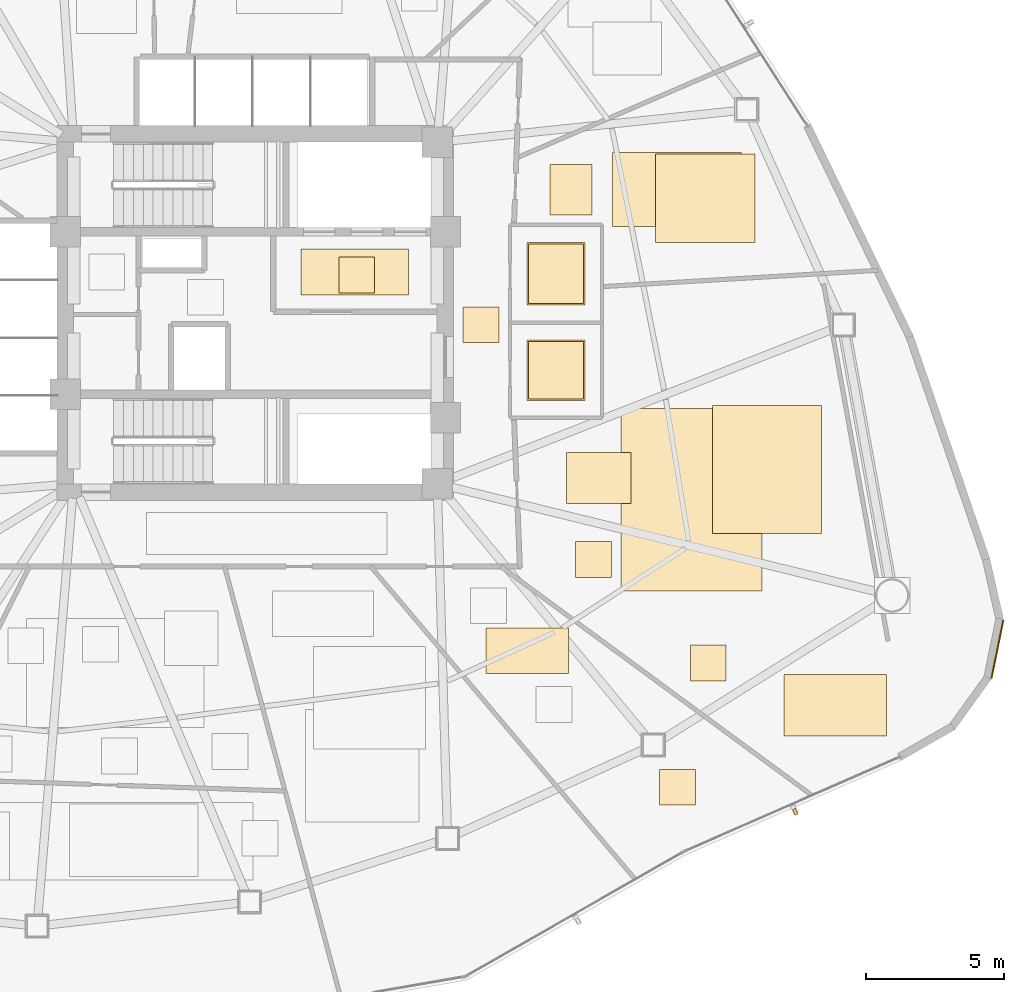
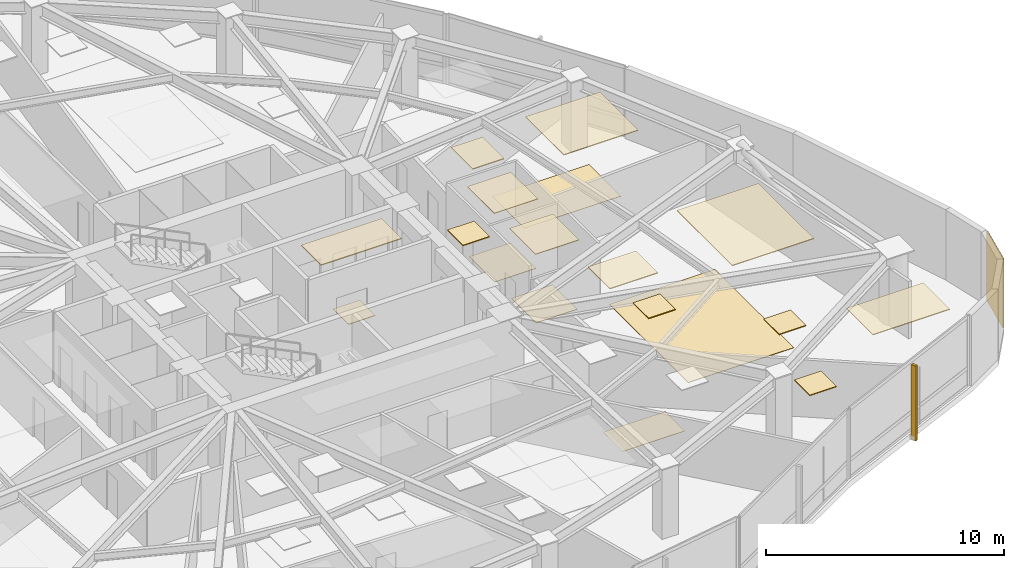
# One storey, part 17 of 18: 19 coverings, 1 shading device.
"""IFC4 building model written with IfcOpenShell, lengths in metres."""

from ifc_helpers import new_model, si_unit, direction, frame, origin, origin_2d, place, context, subcontext, project, spatial, polyline, rectangle, outline, extrude, source, transform, mapped, material, layer, layer_set, type_object, type_shapes, element, save


model = new_model("IFC4")

# Units and contexts
model_context = context("Model", 3, precision=1e-05, world=origin(), true_north=direction((0.0, 1.0)))
body_context = subcontext(model_context, "Body", "Model", "MODEL_VIEW")
ifc_project = project(units=[si_unit("LENGTHUNIT", "METRE"), si_unit("AREAUNIT", "SQUARE_METRE"), si_unit("VOLUMEUNIT", "CUBIC_METRE"), si_unit("PLANEANGLEUNIT", "RADIAN"), si_unit("MASSUNIT", "GRAM", prefix="KILO")], contexts=[model_context])

# Site, building, storey
site_placement = place(None, origin())
site = spatial("IfcSite", under=ifc_project, at=site_placement, CompositionType="ELEMENT")
building_placement = place(site_placement, origin())
building = spatial("IfcBuilding", under=site, at=building_placement, Name="Tavelor Broadcast Tower", CompositionType="ELEMENT")
storey_placement = place(building_placement, frame((0.0, 0.0, 51.0)))
storey = spatial("IfcBuildingStorey", under=building, at=storey_placement, Name="L11", CompositionType="ELEMENT", Elevation=51.0)

# Coverings
ifc_material_1 = material(Name="Copper-Bronze Anodized Aluminium", Category="aluminium")
ifc_layer_1 = layer(ifc_material_1, 0.044921875)
ifc_layer_set_1 = layer_set([ifc_layer_1], Name="Copper-Bronze Anodized Aluminium")
covering_type_1 = type_object("IfcCoveringType", Name="Anodised Bronze Linear Slatted Concourse Ceiling 45 mm", PredefinedType="CEILING", material=ifc_layer_set_1)
covering_1_placement = place(storey_placement, frame((0.0, 0.0, 3.554931640625)))
element("IfcCovering", 1, at=covering_1_placement, inside=storey, type_object=covering_type_1, Name="L11 Suspended Acoustic Ceiling 0388", PredefinedType="CEILING", context=body_context, shape_type="SweptSolid", body=[
    extrude(outline(polyline([(51.659912109375, 45.654296875), (55.55712890625, 45.654296875), (55.55712890625, 47.331787109375), (51.659912109375, 47.331787109375), (51.659912109375, 45.654296875)])), origin(), (0.0, 0.0, 1.0), 0.045166015625),
])
covering_2_placement = place(storey_placement, frame((0.0, 0.0, 3.554931640625)))
element("IfcCovering", 2, at=covering_2_placement, inside=storey, type_object=covering_type_1, Name="L11 Suspended Acoustic Ceiling 0391", PredefinedType="CEILING", context=body_context, shape_type="SweptSolid", body=[
    extrude(outline(polyline([(57.5400390625, 43.925048828125), (58.840087890625, 43.925048828125), (58.840087890625, 45.22509765625), (57.5400390625, 45.22509765625), (57.5400390625, 43.925048828125)])), origin(), (0.0, 0.0, 1.0), 0.045166015625),
])
ifc_layer_2 = layer(ifc_material_1, 0.050048828125)
ifc_layer_set_2 = layer_set([ifc_layer_2], Name="Copper-Bronze Anodized Aluminium")
covering_type_2 = type_object("IfcCoveringType", Name="Champagne-Bronze Corner Pier Metal Cladding 50 mm", PredefinedType="CLADDING", material=ifc_layer_set_2)
covering_3_placement = place(storey_placement, frame((76.939208984375, 32.79345703125, 0.02001953125), z_axis=(0.0, 0.0, 1.0), x_axis=(0.200223004021, 0.979750350171, 0.0)))
element("IfcCovering", 3, at=covering_3_placement, inside=storey, type_object=covering_type_2, Name="L11 Champagne-Bronze Corner Cladding 23", PredefinedType="CLADDING", context=body_context, shape_type="SweptSolid", body=[
    extrude(rectangle(XDim=2.146484375, YDim=0.050048828125, at=origin_2d()), origin(), (0.0, 0.0, 1.0), 3.56005859375),
])
ifc_material_2 = material(Name="Acoustic Nylon Carpet Tile")
ifc_layer_3 = layer(ifc_material_2, 0.02001953125)
ifc_layer_set_3 = layer_set([ifc_layer_3], Name="Acoustic Nylon Carpet Tile")
covering_type_3 = type_object("IfcCoveringType", Name="Heavy-Duty Acoustic Broadcast Carpet Tile 20 mm", PredefinedType="FLOORING", material=ifc_layer_set_3)
covering_4_placement = place(storey_placement, origin())
element("IfcCovering", 4, at=covering_4_placement, inside=storey, type_object=covering_type_3, Name="L11 Broadcast Floor Finish 0149", PredefinedType="FLOORING", context=body_context, shape_type="SweptSolid", body=[
    extrude(outline(polyline([(62.962646484375, 48.146240234375), (67.647705078125, 48.146240234375), (67.647705078125, 50.8251953125), (62.962646484375, 50.8251953125), (62.962646484375, 48.146240234375)])), origin(), (0.0, 0.0, 1.0), 0.02001953125),
])
covering_5_placement = place(storey_placement, origin())
element("IfcCovering", 5, at=covering_5_placement, inside=storey, type_object=covering_type_3, Name="L11 Broadcast Floor Finish 0150", PredefinedType="FLOORING", context=body_context, shape_type="SweptSolid", body=[
    extrude(outline(polyline([(63.2646484375, 34.9091796875), (68.385009765625, 34.9091796875), (68.385009765625, 41.52978515625), (63.2646484375, 41.52978515625), (63.2646484375, 34.9091796875)])), origin(), (0.0, 0.0, 1.0), 0.02001953125),
])
covering_6_placement = place(storey_placement, origin())
element("IfcCovering", 6, at=covering_6_placement, inside=storey, type_object=covering_type_3, Name="L11 Broadcast Floor Finish 0151", PredefinedType="FLOORING", context=body_context, shape_type="SweptSolid", body=[
    extrude(outline(polyline([(58.365234375, 31.91357421875), (61.359619140625, 31.91357421875), (61.359619140625, 33.556396484375), (58.365234375, 33.556396484375), (58.365234375, 31.91357421875)])), origin(), (0.0, 0.0, 1.0), 0.02001953125),
])
ifc_material_3 = material(Name="Honed Natural Limestone Tile", Category="masonry")
ifc_layer_4 = layer(ifc_material_3, 0.030029296875)
ifc_layer_set_4 = layer_set([ifc_layer_4], Name="Honed Natural Limestone Tile")
covering_type_4 = type_object("IfcCoveringType", Name="Honed Jerusalem Limestone Concourse Flooring 30 mm", PredefinedType="FLOORING", material=ifc_layer_set_4)
covering_7_placement = place(storey_placement, origin())
element("IfcCovering", 7, at=covering_7_placement, inside=storey, type_object=covering_type_4, Name="L11 Broadcast Floor Finish 0137", PredefinedType="FLOORING", context=body_context, shape_type="SweptSolid", body=[
    extrude(outline(polyline([(53.030029296875, 45.728515625), (54.330078125, 45.728515625), (54.330078125, 47.028564453125), (53.030029296875, 47.028564453125), (53.030029296875, 45.728515625)])), origin(), (0.0, 0.0, 1.0), 0.030029296875),
])
ifc_material_4 = material(Name="Architectural Anodized Aluminium", Category="aluminium")
ifc_layer_5 = layer(ifc_material_4, 0.030029296875)
ifc_layer_set_5 = layer_set([ifc_layer_5], Name="Architectural Anodized Aluminium")
covering_type_5 = type_object("IfcCoveringType", Name="Moisture-Resistant Washroom Ceiling 30 mm", PredefinedType="CEILING", material=ifc_layer_set_5)
covering_8_placement = place(storey_placement, frame((0.0, 0.0, 3.570068359375)))
element("IfcCovering", 8, at=covering_8_placement, inside=storey, type_object=covering_type_5, Name="L11 Suspended Acoustic Ceiling 0394", PredefinedType="CEILING", context=body_context, shape_type="SweptSolid", body=[
    extrude(outline(polyline([(59.85302734375, 41.828369140625), (61.967041015625, 41.828369140625), (61.967041015625, 44.021484375), (59.85302734375, 44.021484375), (59.85302734375, 41.828369140625)])), origin(), (0.0, 0.0, 1.0), 0.030029296875),
])
covering_9_placement = place(storey_placement, frame((0.0, 0.0, 3.570068359375)))
element("IfcCovering", 9, at=covering_9_placement, inside=storey, type_object=covering_type_5, Name="L11 Suspended Acoustic Ceiling 0395", PredefinedType="CEILING", context=body_context, shape_type="SweptSolid", body=[
    extrude(outline(polyline([(59.85302734375, 45.29248046875), (61.967041015625, 45.29248046875), (61.967041015625, 47.5576171875), (59.85302734375, 47.5576171875), (59.85302734375, 45.29248046875)])), origin(), (0.0, 0.0, 1.0), 0.030029296875),
])
ifc_material_5 = material(Name="Slip-Resistant Porcelain Tile")
ifc_layer_6 = layer(ifc_material_5, 0.02490234375)
ifc_layer_set_6 = layer_set([ifc_layer_6], Name="Slip-Resistant Porcelain Tile")
covering_type_6 = type_object("IfcCoveringType", Name="Slip-Resistant Porcelain Wet-Area Floor Tile 25 mm", PredefinedType="FLOORING", material=ifc_layer_set_6)
covering_10_placement = place(storey_placement, origin())
element("IfcCovering", 10, at=covering_10_placement, inside=storey, type_object=covering_type_6, Name="L11 Broadcast Floor Finish 0139", PredefinedType="FLOORING", context=body_context, shape_type="SweptSolid", body=[
    extrude(outline(polyline([(59.91064453125, 41.885986328125), (61.909423828125, 41.885986328125), (61.909423828125, 43.964111328125), (59.91064453125, 43.964111328125), (59.91064453125, 41.885986328125)])), origin(), (0.0, 0.0, 1.0), 0.02490234375),
])
covering_11_placement = place(storey_placement, origin())
element("IfcCovering", 11, at=covering_11_placement, inside=storey, type_object=covering_type_6, Name="L11 Broadcast Floor Finish 0140", PredefinedType="FLOORING", context=body_context, shape_type="SweptSolid", body=[
    extrude(outline(polyline([(59.91064453125, 45.35009765625), (61.909423828125, 45.35009765625), (61.909423828125, 47.5), (59.91064453125, 47.5), (59.91064453125, 45.35009765625)])), origin(), (0.0, 0.0, 1.0), 0.02490234375),
])
ifc_material_6 = material(Name="Acoustic Mineral Fibre Tile")
ifc_layer_7 = layer(ifc_material_6, 0.0400390625)
ifc_layer_set_7 = layer_set([ifc_layer_7], Name="Acoustic Mineral Fibre Tile")
covering_type_7 = type_object("IfcCoveringType", Name="Suspended Acoustic Mineral-Fibre Office Ceiling 40 mm", PredefinedType="CEILING", material=ifc_layer_set_7)
covering_12_placement = place(storey_placement, frame((0.0, 0.0, 3.56005859375)))
element("IfcCovering", 12, at=covering_12_placement, inside=storey, type_object=covering_type_7, Name="L11 Suspended Acoustic Ceiling 0422", PredefinedType="CEILING", context=body_context, shape_type="SweptSolid", body=[
    extrude(outline(polyline([(60.69677734375, 48.5615234375), (62.2197265625, 48.5615234375), (62.2197265625, 50.383544921875), (60.69677734375, 50.383544921875), (60.69677734375, 48.5615234375)])), origin(), (0.0, 0.0, 1.0), 0.0400390625),
])
covering_13_placement = place(storey_placement, frame((0.0, 0.0, 3.56005859375)))
element("IfcCovering", 13, at=covering_13_placement, inside=storey, type_object=covering_type_7, Name="L11 Suspended Acoustic Ceiling 0423", PredefinedType="CEILING", context=body_context, shape_type="SweptSolid", body=[
    extrude(outline(polyline([(64.52294921875, 47.551513671875), (68.13720703125, 47.551513671875), (68.13720703125, 50.765380859375), (64.52294921875, 50.765380859375), (64.52294921875, 47.551513671875)])), origin(), (0.0, 0.0, 1.0), 0.0400390625),
])
covering_14_placement = place(storey_placement, frame((0.0, 0.0, 3.56005859375)))
element("IfcCovering", 14, at=covering_14_placement, inside=storey, type_object=covering_type_7, Name="L11 Suspended Acoustic Ceiling 0424", PredefinedType="CEILING", context=body_context, shape_type="SweptSolid", body=[
    extrude(outline(polyline([(61.2998046875, 38.08984375), (63.6298828125, 38.08984375), (63.6298828125, 39.935546875), (61.2998046875, 39.935546875), (61.2998046875, 38.08984375)])), origin(), (0.0, 0.0, 1.0), 0.0400390625),
])
covering_15_placement = place(storey_placement, frame((0.0, 0.0, 3.56005859375)))
element("IfcCovering", 15, at=covering_15_placement, inside=storey, type_object=covering_type_7, Name="L11 Suspended Acoustic Ceiling 0425", PredefinedType="CEILING", context=body_context, shape_type="SweptSolid", body=[
    extrude(outline(polyline([(66.60400390625, 36.98828125), (70.559814453125, 36.98828125), (70.559814453125, 41.643798828125), (66.60400390625, 41.643798828125), (66.60400390625, 36.98828125)])), origin(), (0.0, 0.0, 1.0), 0.0400390625),
])
covering_16_placement = place(storey_placement, frame((0.0, 0.0, 3.56005859375)))
element("IfcCovering", 16, at=covering_16_placement, inside=storey, type_object=covering_type_7, Name="L11 Suspended Acoustic Ceiling 0426", PredefinedType="CEILING", context=body_context, shape_type="SweptSolid", body=[
    extrude(outline(polyline([(65.788818359375, 31.63818359375), (67.0888671875, 31.63818359375), (67.0888671875, 32.93798828125), (65.788818359375, 32.93798828125), (65.788818359375, 31.63818359375)])), origin(), (0.0, 0.0, 1.0), 0.0400390625),
])
covering_17_placement = place(storey_placement, frame((0.0, 0.0, 3.56005859375)))
element("IfcCovering", 17, at=covering_17_placement, inside=storey, type_object=covering_type_7, Name="L11 Suspended Acoustic Ceiling 0427", PredefinedType="CEILING", context=body_context, shape_type="SweptSolid", body=[
    extrude(outline(polyline([(69.187744140625, 29.647705078125), (72.9169921875, 29.647705078125), (72.9169921875, 31.87646484375), (69.187744140625, 31.87646484375), (69.187744140625, 29.647705078125)])), origin(), (0.0, 0.0, 1.0), 0.0400390625),
])
covering_18_placement = place(storey_placement, frame((0.0, 0.0, 3.56005859375)))
element("IfcCovering", 18, at=covering_18_placement, inside=storey, type_object=covering_type_7, Name="L11 Suspended Acoustic Ceiling 0428", PredefinedType="CEILING", context=body_context, shape_type="SweptSolid", body=[
    extrude(outline(polyline([(61.626220703125, 35.40576171875), (62.92626953125, 35.40576171875), (62.92626953125, 36.705810546875), (61.626220703125, 36.705810546875), (61.626220703125, 35.40576171875)])), origin(), (0.0, 0.0, 1.0), 0.0400390625),
])
covering_19_placement = place(storey_placement, frame((0.0, 0.0, 3.56005859375)))
element("IfcCovering", 19, at=covering_19_placement, inside=storey, type_object=covering_type_7, Name="L11 Suspended Acoustic Ceiling 0430", PredefinedType="CEILING", context=body_context, shape_type="SweptSolid", body=[
    extrude(outline(polyline([(64.670654296875, 27.12939453125), (65.970703125, 27.12939453125), (65.970703125, 28.429443359375), (64.670654296875, 28.429443359375), (64.670654296875, 27.12939453125)])), origin(), (0.0, 0.0, 1.0), 0.0400390625),
])

# Shading device
ifc_material_7 = material(Name="Kiln-Fired Glazed Terracotta", Category="masonry")
shading_device_type = type_object("IfcShadingDeviceType", Name="Extruded Terracotta Baguette Sun-Screen 110x240", PredefinedType="JALOUSIE", material=ifc_material_7)
shared_shape = source(origin(), body_context, "Body", "SweptSolid", [
    extrude(rectangle(XDim=0.110107421875, YDim=0.239990234375, at=origin_2d()), origin(), (0.0, 0.0, 1.0), 3.840087890625),
])
type_shapes(shading_device_type, [shared_shape])
shading_device_placement = place(storey_placement, frame((69.59912109375, 26.890869140625, -0.26025390625), z_axis=(0.0, 0.0, 1.0), x_axis=(0.915802843794, 0.401628125633, 0.0)))
element("IfcShadingDevice", 20, at=shading_device_placement, inside=storey, type_object=shading_device_type, Name="L11 Terracotta Baguette Fin 92", PredefinedType="JALOUSIE", context=body_context, shape_type="MappedRepresentation", body=[
    mapped(shared_shape, transform((0.0, 0.0, 0.0), scale=1.0)),
])

save(model, "model.ifc")
